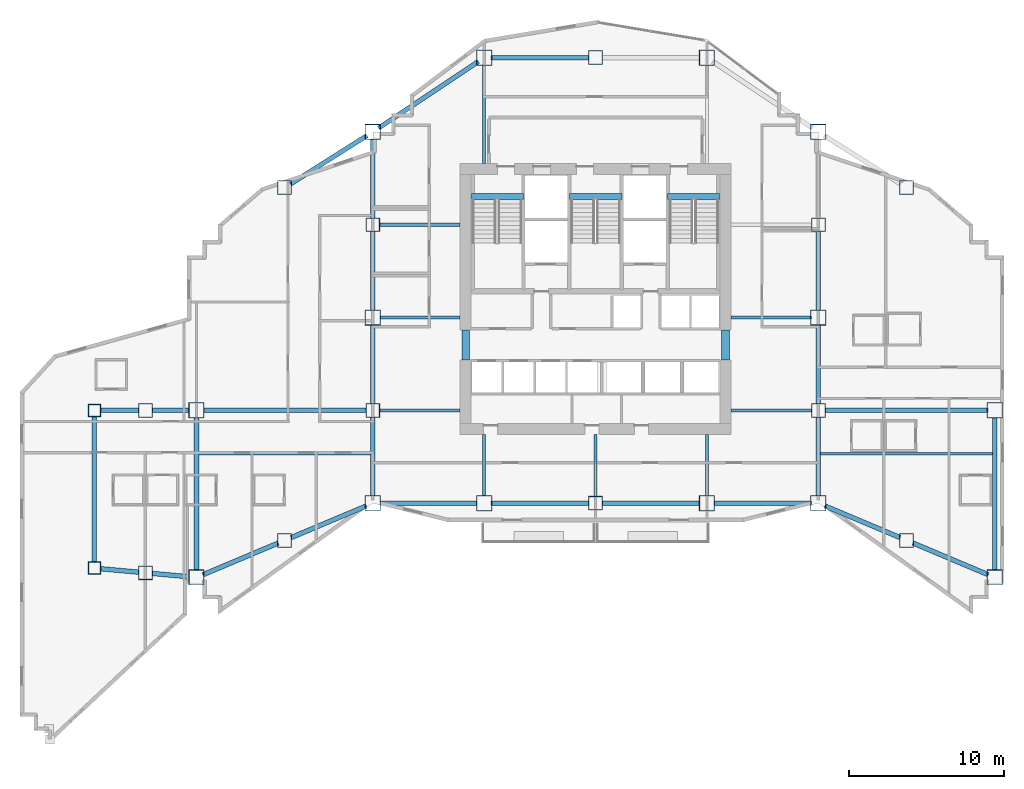
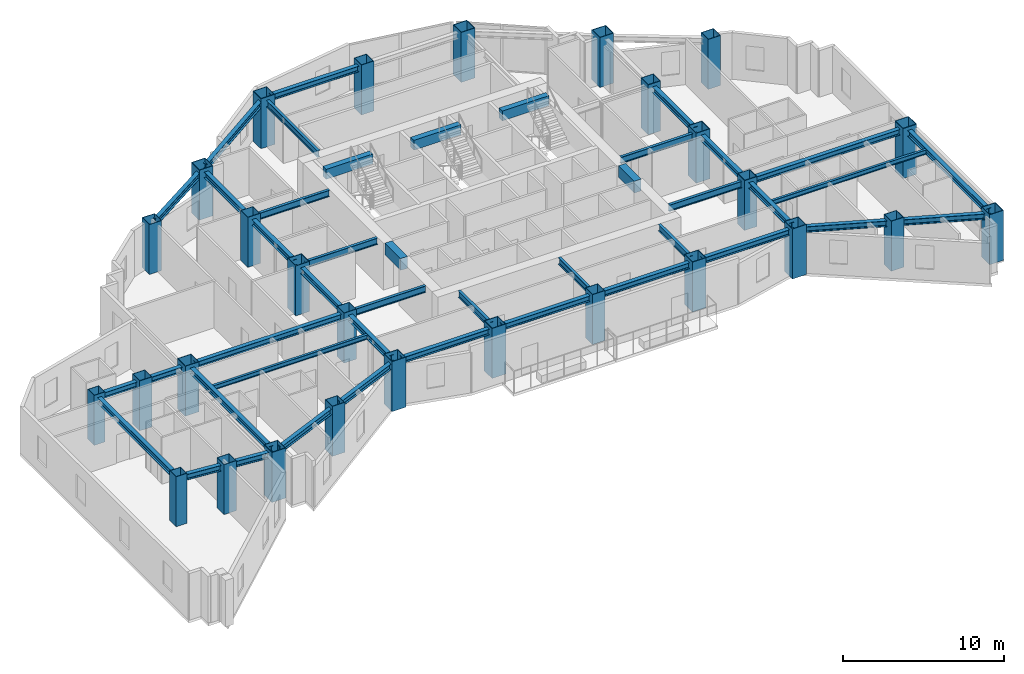
# One storey, part 1 of 14: 43 beams, 28 columns.
"""IFC4 building model written with IfcOpenShell, lengths in metres."""

from ifc_helpers import new_model, si_unit, direction, frame, origin, origin_2d, place, context, subcontext, project, spatial, rectangle, hollow_rectangle, i_section, extrude, material, material_profile, profile_set, type_object, element, save


model = new_model("IFC4")

# Units and contexts
model_context = context("Model", 3, precision=1e-05, world=origin(), true_north=direction((0.0, 1.0)))
body_context = subcontext(model_context, "Body", "Model", "MODEL_VIEW")
ifc_project = project(units=[si_unit("LENGTHUNIT", "METRE"), si_unit("AREAUNIT", "SQUARE_METRE"), si_unit("VOLUMEUNIT", "CUBIC_METRE"), si_unit("PLANEANGLEUNIT", "RADIAN"), si_unit("MASSUNIT", "GRAM", prefix="KILO")], contexts=[model_context])

# Site, building, storey
site_placement = place(None, origin())
site = spatial("IfcSite", under=ifc_project, at=site_placement, CompositionType="ELEMENT")
building_placement = place(site_placement, origin())
building = spatial("IfcBuilding", under=site, at=building_placement, Name="Haolan Belvedere Tower", CompositionType="ELEMENT")
storey_placement = place(building_placement, frame((0.0, 0.0, 132.60009765625)))
storey = spatial("IfcBuildingStorey", under=building, at=storey_placement, Name="L33", CompositionType="ELEMENT", Elevation=132.60009765625)

# Columns
ifc_material_1 = material(Name="Steel Q420GJC", Category="steel")
ifc_material_profile_1 = material_profile(ifc_material_1, hollow_rectangle(XDim=1.0, YDim=1.0, WallThickness=0.0380859375, at=origin_2d()), Name="Steel Q420GJC")
ifc_profile_set_1 = profile_set([ifc_material_profile_1], Name="Steel Q420GJC")
column_type_1 = type_object("IfcColumnType", Name="COL-BOX1000x1000x38", PredefinedType="COLUMN", material=ifc_profile_set_1)
for number, where, z_axis, x_axis, name in (
    (1, (24.0, 21.60009765625, 0.0), (0.0, 0.0, 1.0), (1.0, 0.0, 0.0), "L33 column MC-T3-SW (BOX1000x1000x38)"),
    (2, (24.0, 33.60009765625, 0.0), (0.0, 0.0, 1.0), (1.0, 0.0, 0.0), "L33 column MC-T3-MW (BOX1000x1000x38)"),
    (3, (24.0, 45.60009765625, 0.0), (0.0, 0.0, 1.0), (1.0, 0.0, 0.0), "L33 column MC-T3-NW (BOX1000x1000x38)"),
    (4, (52.800048828125, 21.60009765625, 0.0), (0.0, 0.0, 1.0), (1.0, 0.0, 0.0), "L33 column MC-T3-SE (BOX1000x1000x38)"),
    (5, (52.800048828125, 33.60009765625, 0.0), (0.0, 0.0, 1.0), (1.0, 0.0, 0.0), "L33 column MC-T3-ME (BOX1000x1000x38)"),
    (6, (52.800048828125, 45.60009765625, 0.0), (0.0, 0.0, 1.0), (1.0, 0.0, 0.0), "L33 column MC-T3-NE (BOX1000x1000x38)"),
    (7, (31.199951171875, 21.60009765625, 0.0), (0.0, 0.0, 1.0), (1.0, 0.0, 0.0), "L33 column MC-T3-S1 (BOX1000x1000x38)"),
    (8, (45.60009765625, 21.60009765625, 0.0), (0.0, 0.0, 1.0), (1.0, 0.0, 0.0), "L33 column MC-T3-S2 (BOX1000x1000x38)"),
    (9, (31.199951171875, 50.39990234375, 0.0), (0.0, 0.0, 1.0), (1.0, 0.0, 0.0), "L33 column MC-T3-N1 (BOX1000x1000x38)"),
    (10, (45.60009765625, 50.39990234375, 0.0), (0.0, 0.0, 1.0), (1.0, 0.0, 0.0), "L33 column MC-T3-N2 (BOX1000x1000x38)"),
    (11, (12.60009765625, 16.800048828125, 0.0), (0.0, 0.0, 1.0), (1.0, 0.0, 0.0), "L33 column MC-T2-SW (BOX1000x1000x38)"),
    (12, (12.60009765625, 27.60009765625, 0.0), (0.0, 0.0, 1.0), (1.0, 0.0, 0.0), "L33 column MC-T2-MW (BOX1000x1000x38)"),
    (13, (64.199951171875, 16.800048828125, 0.0), (0.0, 0.0, 1.0), (1.0, 0.0, 0.0), "L33 column MC-T4-SE (BOX1000x1000x38)"),
    (14, (64.199951171875, 27.60009765625, 0.0), (0.0, 0.0, 1.0), (1.0, 0.0, 0.0), "L33 column MC-T4-ME (BOX1000x1000x38)"),
):
    element("IfcColumn", number, at=place(storey_placement, frame(where, z_axis=z_axis, x_axis=x_axis)), inside=storey, type_object=column_type_1, Name=name, PredefinedType="COLUMN", context=body_context, shape_type="SweptSolid", body=[
        extrude(hollow_rectangle(XDim=1.0, YDim=1.0, WallThickness=0.0380859375, at=origin_2d()), origin(), (0.0, 0.0, 1.0), 3.7998046875),
    ])
ifc_material_2 = material(Name="Steel Q390GJC", Category="steel")
ifc_material_profile_2 = material_profile(ifc_material_2, hollow_rectangle(XDim=0.800048828125, YDim=0.800048828125, WallThickness=0.030029296875, at=origin_2d()), Name="Steel Q390GJC")
ifc_profile_set_2 = profile_set([ifc_material_profile_2], Name="Steel Q390GJC")
column_type_2 = type_object("IfcColumnType", Name="COL-BOX800x800x30", PredefinedType="COLUMN", material=ifc_profile_set_2)
for number, where, z_axis, x_axis, name in (
    (15, (6.0, 17.39990234375, 0.0), (0.0, 0.0, 1.0), (1.0, 0.0, 0.0), "L33 column MC-T1-SW (BOX800x800x30)"),
    (16, (6.0, 27.60009765625, 0.0), (0.0, 0.0, 1.0), (1.0, 0.0, 0.0), "L33 column MC-T1-NW (BOX800x800x30)"),
):
    element("IfcColumn", number, at=place(storey_placement, frame(where, z_axis=z_axis, x_axis=x_axis)), inside=storey, type_object=column_type_2, Name=name, PredefinedType="COLUMN", context=body_context, shape_type="SweptSolid", body=[
        extrude(hollow_rectangle(XDim=0.800048828125, YDim=0.800048828125, WallThickness=0.030029296875, at=origin_2d()), origin(), (0.0, 0.0, 1.0), 3.7998046875),
    ])
ifc_material_profile_3 = material_profile(ifc_material_2, hollow_rectangle(XDim=0.89990234375, YDim=0.89990234375, WallThickness=0.033935546875, at=origin_2d()), Name="Steel Q390GJC")
ifc_profile_set_3 = profile_set([ifc_material_profile_3], Name="Steel Q390GJC")
column_type_3 = type_object("IfcColumnType", Name="COL-BOX900x900x34", PredefinedType="COLUMN", material=ifc_profile_set_3)
for number, where, z_axis, x_axis, name in (
    (17, (24.0, 27.60009765625, 0.0), (0.0, 0.0, 1.0), (1.0, 0.0, 0.0), "L33 column TC-T3-W1 (BOX900x900x34)"),
    (18, (24.0, 39.60009765625, 0.0), (0.0, 0.0, 1.0), (1.0, 0.0, 0.0), "L33 column TC-T3-W2 (BOX900x900x34)"),
    (19, (52.800048828125, 27.60009765625, 0.0), (0.0, 0.0, 1.0), (1.0, 0.0, 0.0), "L33 column TC-T3-E1 (BOX900x900x34)"),
    (20, (52.800048828125, 39.60009765625, 0.0), (0.0, 0.0, 1.0), (1.0, 0.0, 0.0), "L33 column TC-T3-E2 (BOX900x900x34)"),
    (21, (38.39990234375, 21.60009765625, 0.0), (0.0, 0.0, 1.0), (1.0, 0.0, 0.0), "L33 column TC-T3-SM (BOX900x900x34)"),
    (22, (38.39990234375, 50.39990234375, 0.0), (0.0, 0.0, 1.0), (1.0, 0.0, 0.0), "L33 column TC-T3-NM (BOX900x900x34)"),
    (23, (18.300048828125, 19.199951171875, 0.0), (0.0, 0.0, 1.0), (1.0, 0.0, 0.0), "L33 column TC-T2-S1 (BOX900x900x34)"),
    (24, (18.300048828125, 42.0, 0.0), (0.0, 0.0, 1.0), (1.0, 0.0, 0.0), "L33 column TC-T2-N1 (BOX900x900x34)"),
    (25, (58.5, 19.199951171875, 0.0), (0.0, 0.0, 1.0), (1.0, 0.0, 0.0), "L33 column TC-T4-S1 (BOX900x900x34)"),
    (26, (58.5, 42.0, 0.0), (0.0, 0.0, 1.0), (1.0, 0.0, 0.0), "L33 column TC-T4-N1 (BOX900x900x34)"),
    (27, (9.300048828125, 17.10009765625, 0.0), (0.0, 0.0, 1.0), (1.0, 0.0, 0.0), "L33 column TC-T1-M1 (BOX900x900x34)"),
    (28, (9.300048828125, 27.60009765625, 0.0), (0.0, 0.0, 1.0), (1.0, 0.0, 0.0), "L33 column TC-T1-M2 (BOX900x900x34)"),
):
    element("IfcColumn", number, at=place(storey_placement, frame(where, z_axis=z_axis, x_axis=x_axis)), inside=storey, type_object=column_type_3, Name=name, PredefinedType="COLUMN", context=body_context, shape_type="SweptSolid", body=[
        extrude(hollow_rectangle(XDim=0.89990234375, YDim=0.89990234375, WallThickness=0.033935546875, at=origin_2d()), origin(), (0.0, 0.0, 1.0), 3.7998046875),
    ])

# Beams
ifc_material_3 = material(Name="Steel Q355B", Category="steel")
ifc_material_profile_4 = material_profile(ifc_material_3, i_section(OverallWidth=0.300048828125, OverallDepth=0.43994140625, WebThickness=0.010986328125, FlangeThickness=0.01806640625, FilletRadius=0.02392578125, at=origin_2d()), Name="Steel Q355B")
ifc_profile_set_4 = profile_set([ifc_material_profile_4], Name="Steel Q355B")
beam_type_1 = type_object("IfcBeamType", Name="BM-HM440x300x11x18", PredefinedType="SPANDREL", material=ifc_profile_set_4)
for number, where, z_axis, x_axis, name in (
    (29, (24.0, 22.050048828125, 3.31982421875), (0.0, 1.0, 0.0), (-1.0, 0.0, 0.0), "L33 spandrel girder MC-T3-SW-TC-T3-W1"),
    (30, (24.0, 28.050048828125, 3.31982421875), (0.0, 1.0, 0.0), (-1.0, 0.0, 0.0), "L33 spandrel girder TC-T3-W1-MC-T3-MW"),
    (31, (24.0, 34.050048828125, 3.31982421875), (0.0, 1.0, 0.0), (-1.0, 0.0, 0.0), "L33 spandrel girder MC-T3-MW-TC-T3-W2"),
    (32, (24.0, 40.050048828125, 3.31982421875), (0.0, 1.0, 0.0), (-1.0, 0.0, 0.0), "L33 spandrel girder TC-T3-W2-MC-T3-NW"),
    (33, (52.800048828125, 22.050048828125, 3.31982421875), (0.0, 1.0, 0.0), (-1.0, 0.0, 0.0), "L33 spandrel girder MC-T3-SE-TC-T3-E1"),
    (34, (52.800048828125, 28.050048828125, 3.31982421875), (0.0, 1.0, 0.0), (-1.0, 0.0, 0.0), "L33 spandrel girder TC-T3-E1-MC-T3-ME"),
    (35, (52.800048828125, 34.050048828125, 3.31982421875), (0.0, 1.0, 0.0), (-1.0, 0.0, 0.0), "L33 spandrel girder MC-T3-ME-TC-T3-E2"),
):
    element("IfcBeam", number, at=place(storey_placement, frame(where, z_axis=z_axis, x_axis=x_axis)), inside=storey, type_object=beam_type_1, Name=name, PredefinedType="SPANDREL", context=body_context, shape_type="SweptSolid", body=[
        extrude(i_section(OverallWidth=0.300048828125, OverallDepth=0.43994140625, WebThickness=0.010986328125, FlangeThickness=0.01806640625, FilletRadius=0.02392578125, at=origin_2d()), origin(), (0.0, 0.0, 1.0), 5.099853515625),
    ])
for number, where, z_axis, x_axis, name in (
    (36, (24.449951171875, 21.60009765625, 3.31982421875), (1.0, 0.0, 0.0), (0.0, 1.0, 0.0), "L33 spandrel girder MC-T3-SW-MC-T3-S1"),
    (37, (31.64990234375, 21.60009765625, 3.31982421875), (1.0, 0.0, 0.0), (0.0, 1.0, 0.0), "L33 spandrel girder MC-T3-S1-TC-T3-SM"),
):
    element("IfcBeam", number, at=place(storey_placement, frame(where, z_axis=z_axis, x_axis=x_axis)), inside=storey, type_object=beam_type_1, Name=name, PredefinedType="SPANDREL", context=body_context, shape_type="SweptSolid", body=[
        extrude(i_section(OverallWidth=0.300048828125, OverallDepth=0.43994140625, WebThickness=0.010986328125, FlangeThickness=0.01806640625, FilletRadius=0.02392578125, at=origin_2d()), origin(), (0.0, 0.0, 1.0), 6.300048828125),
    ])
beam_1_placement = place(storey_placement, frame((38.85009765625, 21.60009765625, 3.31982421875), z_axis=(1.0, 0.0, 0.0), x_axis=(0.0, 1.0, 0.0)))
element("IfcBeam", 38, at=beam_1_placement, inside=storey, type_object=beam_type_1, Name="L33 spandrel girder TC-T3-SM-MC-T3-S2", PredefinedType="SPANDREL", context=body_context, shape_type="SweptSolid", body=[
    extrude(i_section(OverallWidth=0.300048828125, OverallDepth=0.43994140625, WebThickness=0.010986328125, FlangeThickness=0.01806640625, FilletRadius=0.02392578125, at=origin_2d()), origin(), (0.0, 0.0, 1.0), 6.2998046875),
])
beam_2_placement = place(storey_placement, frame((46.050048828125, 21.60009765625, 3.31982421875), z_axis=(1.0, 0.0, 0.0), x_axis=(0.0, 1.0, 0.0)))
element("IfcBeam", 39, at=beam_2_placement, inside=storey, type_object=beam_type_1, Name="L33 spandrel girder MC-T3-S2-MC-T3-SE", PredefinedType="SPANDREL", context=body_context, shape_type="SweptSolid", body=[
    extrude(i_section(OverallWidth=0.300048828125, OverallDepth=0.43994140625, WebThickness=0.010986328125, FlangeThickness=0.01806640625, FilletRadius=0.02392578125, at=origin_2d()), origin(), (0.0, 0.0, 1.0), 6.300048828125),
])
beam_3_placement = place(storey_placement, frame((24.37451171875, 45.849609375, 3.31982421875), z_axis=(0.832050294338, 0.554700196225, 0.0), x_axis=(-0.554700196225, 0.832050294338, 0.0)))
element("IfcBeam", 40, at=beam_3_placement, inside=storey, type_object=beam_type_1, Name="L33 spandrel girder MC-T3-NW-MC-T3-N1", PredefinedType="SPANDREL", context=body_context, shape_type="SweptSolid", body=[
    extrude(i_section(OverallWidth=0.300048828125, OverallDepth=0.43994140625, WebThickness=0.010986328125, FlangeThickness=0.01806640625, FilletRadius=0.02392578125, at=origin_2d()), origin(), (0.0, 0.0, 1.0), 7.75341796875),
])
beam_4_placement = place(storey_placement, frame((31.64990234375, 50.39990234375, 3.31982421875), z_axis=(1.0, 0.0, 0.0), x_axis=(0.0, 1.0, 0.0)))
element("IfcBeam", 41, at=beam_4_placement, inside=storey, type_object=beam_type_1, Name="L33 spandrel girder MC-T3-N1-TC-T3-NM", PredefinedType="SPANDREL", context=body_context, shape_type="SweptSolid", body=[
    extrude(i_section(OverallWidth=0.300048828125, OverallDepth=0.43994140625, WebThickness=0.010986328125, FlangeThickness=0.01806640625, FilletRadius=0.02392578125, at=origin_2d()), origin(), (0.0, 0.0, 1.0), 6.300048828125),
])
beam_5_placement = place(storey_placement, frame((12.60009765625, 17.25, 3.31982421875), z_axis=(0.0, 1.0, 0.0), x_axis=(-1.0, 0.0, 0.0)))
element("IfcBeam", 42, at=beam_5_placement, inside=storey, type_object=beam_type_1, Name="L33 spandrel girder MC-T2-SW-MC-T2-MW", PredefinedType="SPANDREL", context=body_context, shape_type="SweptSolid", body=[
    extrude(i_section(OverallWidth=0.300048828125, OverallDepth=0.43994140625, WebThickness=0.010986328125, FlangeThickness=0.01806640625, FilletRadius=0.02392578125, at=origin_2d()), origin(), (0.0, 0.0, 1.0), 9.89990234375),
])
beam_6_placement = place(storey_placement, frame((13.0146484375, 16.974609375, 3.31982421875), z_axis=(0.921635375138, 0.388057000058, 0.0), x_axis=(-0.388057000058, 0.921635375138, 0.0)))
element("IfcBeam", 43, at=beam_6_placement, inside=storey, type_object=beam_type_1, Name="L33 spandrel girder MC-T2-SW-TC-T2-S1", PredefinedType="SPANDREL", context=body_context, shape_type="SweptSolid", body=[
    extrude(i_section(OverallWidth=0.300048828125, OverallDepth=0.43994140625, WebThickness=0.010986328125, FlangeThickness=0.01806640625, FilletRadius=0.02392578125, at=origin_2d()), origin(), (0.0, 0.0, 1.0), 5.28466796875),
])
beam_7_placement = place(storey_placement, frame((18.71484375, 19.37451171875, 3.31982421875), z_axis=(0.92162841793, 0.388073523014, 0.0), x_axis=(-0.388073523014, 0.92162841793, 0.0)))
element("IfcBeam", 44, at=beam_7_placement, inside=storey, type_object=beam_type_1, Name="L33 spandrel girder TC-T2-S1-MC-T3-SW", PredefinedType="SPANDREL", context=body_context, shape_type="SweptSolid", body=[
    extrude(i_section(OverallWidth=0.300048828125, OverallDepth=0.43994140625, WebThickness=0.010986328125, FlangeThickness=0.01806640625, FilletRadius=0.02392578125, at=origin_2d()), origin(), (0.0, 0.0, 1.0), 5.284423828125),
])
beam_8_placement = place(storey_placement, frame((18.680419921875, 42.240234375, 3.31982421875), z_axis=(0.845497840649, 0.533978839898, 0.0), x_axis=(-0.533978839898, 0.845497840649, 0.0)))
element("IfcBeam", 45, at=beam_8_placement, inside=storey, type_object=beam_type_1, Name="L33 spandrel girder TC-T2-N1-MC-T3-NW", PredefinedType="SPANDREL", context=body_context, shape_type="SweptSolid", body=[
    extrude(i_section(OverallWidth=0.300048828125, OverallDepth=0.43994140625, WebThickness=0.010986328125, FlangeThickness=0.01806640625, FilletRadius=0.02392578125, at=origin_2d()), origin(), (0.0, 0.0, 1.0), 5.841796875),
])
beam_9_placement = place(storey_placement, frame((13.050048828125, 27.60009765625, 3.31982421875), z_axis=(1.0, 0.0, 0.0), x_axis=(0.0, 1.0, 0.0)))
element("IfcBeam", 46, at=beam_9_placement, inside=storey, type_object=beam_type_1, Name="L33 spandrel girder MC-T2-MW-TC-T3-W1", PredefinedType="SPANDREL", context=body_context, shape_type="SweptSolid", body=[
    extrude(i_section(OverallWidth=0.300048828125, OverallDepth=0.43994140625, WebThickness=0.010986328125, FlangeThickness=0.01806640625, FilletRadius=0.02392578125, at=origin_2d()), origin(), (0.0, 0.0, 1.0), 10.5),
])
beam_10_placement = place(storey_placement, frame((64.199951171875, 17.25, 3.31982421875), z_axis=(0.0, 1.0, 0.0), x_axis=(-1.0, 0.0, 0.0)))
element("IfcBeam", 47, at=beam_10_placement, inside=storey, type_object=beam_type_1, Name="L33 spandrel girder MC-T4-SE-MC-T4-ME", PredefinedType="SPANDREL", context=body_context, shape_type="SweptSolid", body=[
    extrude(i_section(OverallWidth=0.300048828125, OverallDepth=0.43994140625, WebThickness=0.010986328125, FlangeThickness=0.01806640625, FilletRadius=0.02392578125, at=origin_2d()), origin(), (0.0, 0.0, 1.0), 9.89990234375),
])
for number, where, z_axis, x_axis, name in (
    (48, (53.21484375, 21.42529296875, 3.31982421875), (0.92162841793, -0.388073523014, 0.0), (0.388073523014, 0.92162841793, 0.0), "L33 spandrel girder MC-T3-SE-TC-T4-S1"),
    (49, (58.914794921875, 19.025390625, 3.31982421875), (0.92162841793, -0.388073523014, 0.0), (0.388073523014, 0.92162841793, 0.0), "L33 spandrel girder TC-T4-S1-MC-T4-SE"),
):
    element("IfcBeam", number, at=place(storey_placement, frame(where, z_axis=z_axis, x_axis=x_axis)), inside=storey, type_object=beam_type_1, Name=name, PredefinedType="SPANDREL", context=body_context, shape_type="SweptSolid", body=[
        extrude(i_section(OverallWidth=0.300048828125, OverallDepth=0.43994140625, WebThickness=0.010986328125, FlangeThickness=0.01806640625, FilletRadius=0.02392578125, at=origin_2d()), origin(), (0.0, 0.0, 1.0), 5.284423828125),
    ])
beam_11_placement = place(storey_placement, frame((53.25, 27.60009765625, 3.31982421875), z_axis=(1.0, 0.0, 0.0), x_axis=(0.0, 1.0, 0.0)))
element("IfcBeam", 50, at=beam_11_placement, inside=storey, type_object=beam_type_1, Name="L33 spandrel girder TC-T3-E1-MC-T4-ME", PredefinedType="SPANDREL", context=body_context, shape_type="SweptSolid", body=[
    extrude(i_section(OverallWidth=0.300048828125, OverallDepth=0.43994140625, WebThickness=0.010986328125, FlangeThickness=0.01806640625, FilletRadius=0.02392578125, at=origin_2d()), origin(), (0.0, 0.0, 1.0), 10.5),
])
beam_12_placement = place(storey_placement, frame((6.0, 17.800048828125, 3.31982421875), z_axis=(0.0, 1.0, 0.0), x_axis=(-1.0, 0.0, 0.0)))
element("IfcBeam", 51, at=beam_12_placement, inside=storey, type_object=beam_type_1, Name="L33 spandrel girder MC-T1-SW-MC-T1-NW", PredefinedType="SPANDREL", context=body_context, shape_type="SweptSolid", body=[
    extrude(i_section(OverallWidth=0.300048828125, OverallDepth=0.43994140625, WebThickness=0.010986328125, FlangeThickness=0.01806640625, FilletRadius=0.02392578125, at=origin_2d()), origin(), (0.0, 0.0, 1.0), 9.39990234375),
])
beam_13_placement = place(storey_placement, frame((6.3984375, 17.36376953125, 3.31982421875), z_axis=(0.995889143855, -0.090580423672, 0.0), x_axis=(0.090580423672, 0.995889143855, 0.0)))
element("IfcBeam", 52, at=beam_13_placement, inside=storey, type_object=beam_type_1, Name="L33 spandrel girder MC-T1-SW-TC-T1-M1", PredefinedType="SPANDREL", context=body_context, shape_type="SweptSolid", body=[
    extrude(i_section(OverallWidth=0.300048828125, OverallDepth=0.43994140625, WebThickness=0.010986328125, FlangeThickness=0.01806640625, FilletRadius=0.02392578125, at=origin_2d()), origin(), (0.0, 0.0, 1.0), 2.46337890625),
])
beam_14_placement = place(storey_placement, frame((9.748046875, 17.059326171875, 3.31982421875), z_axis=(0.9958940355, -0.090526626221, 0.0), x_axis=(0.090526626221, 0.9958940355, 0.0)))
element("IfcBeam", 53, at=beam_14_placement, inside=storey, type_object=beam_type_1, Name="L33 spandrel girder TC-T1-M1-MC-T2-SW", PredefinedType="SPANDREL", context=body_context, shape_type="SweptSolid", body=[
    extrude(i_section(OverallWidth=0.300048828125, OverallDepth=0.43994140625, WebThickness=0.010986328125, FlangeThickness=0.01806640625, FilletRadius=0.02392578125, at=origin_2d()), origin(), (0.0, 0.0, 1.0), 2.413818359375),
])
beam_15_placement = place(storey_placement, frame((6.39990234375, 27.60009765625, 3.31982421875), z_axis=(1.0, 0.0, 0.0), x_axis=(0.0, 1.0, 0.0)))
element("IfcBeam", 54, at=beam_15_placement, inside=storey, type_object=beam_type_1, Name="L33 spandrel girder MC-T1-NW-TC-T1-M2", PredefinedType="SPANDREL", context=body_context, shape_type="SweptSolid", body=[
    extrude(i_section(OverallWidth=0.300048828125, OverallDepth=0.43994140625, WebThickness=0.010986328125, FlangeThickness=0.01806640625, FilletRadius=0.02392578125, at=origin_2d()), origin(), (0.0, 0.0, 1.0), 2.4501953125),
])
beam_16_placement = place(storey_placement, frame((9.75, 27.60009765625, 3.31982421875), z_axis=(1.0, 0.0, 0.0), x_axis=(0.0, 1.0, 0.0)))
element("IfcBeam", 55, at=beam_16_placement, inside=storey, type_object=beam_type_1, Name="L33 spandrel girder TC-T1-M2-MC-T2-MW", PredefinedType="SPANDREL", context=body_context, shape_type="SweptSolid", body=[
    extrude(i_section(OverallWidth=0.300048828125, OverallDepth=0.43994140625, WebThickness=0.010986328125, FlangeThickness=0.01806640625, FilletRadius=0.02392578125, at=origin_2d()), origin(), (0.0, 0.0, 1.0), 2.39990234375),
])
ifc_material_profile_5 = material_profile(ifc_material_3, i_section(OverallWidth=0.175048828125, OverallDepth=0.35009765625, WebThickness=0.007080078125, FlangeThickness=0.010986328125, FilletRadius=0.012939453125, at=origin_2d()), Name="Steel Q355B")
ifc_profile_set_5 = profile_set([ifc_material_profile_5], Name="Steel Q355B")
beam_type_2 = type_object("IfcBeamType", Name="BM-HN350x175x7x11", PredefinedType="JOIST", material=ifc_profile_set_5)
for number, where, z_axis, x_axis, name in (
    (56, (12.75, 24.800048828125, 3.364990234375), (1.0, 0.0, 0.0), (0.0, 1.0, 0.0), "L33 west wing floor joist 1"),
    (57, (52.949951171875, 24.800048828125, 3.364990234375), (1.0, 0.0, 0.0), (0.0, 1.0, 0.0), "L33 east wing floor joist 1"),
):
    element("IfcBeam", number, at=place(storey_placement, frame(where, z_axis=z_axis, x_axis=x_axis)), inside=storey, type_object=beam_type_2, Name=name, PredefinedType="JOIST", context=body_context, shape_type="SweptSolid", body=[
        extrude(i_section(OverallWidth=0.175048828125, OverallDepth=0.35009765625, WebThickness=0.007080078125, FlangeThickness=0.010986328125, FilletRadius=0.012939453125, at=origin_2d()), origin(), (0.0, 0.0, 1.0), 11.10009765625),
    ])
ifc_material_profile_6 = material_profile(ifc_material_3, i_section(OverallWidth=0.199951171875, OverallDepth=0.5, WebThickness=0.010009765625, FlangeThickness=0.01611328125, FilletRadius=0.02001953125, at=origin_2d()), Name="Steel Q355B")
ifc_profile_set_6 = profile_set([ifc_material_profile_6], Name="Steel Q355B")
beam_type_3 = type_object("IfcBeamType", Name="BM-HN500x200x10x16", PredefinedType="BEAM", material=ifc_profile_set_6)
for number, where, z_axis, x_axis, name in (
    (58, (24.449951171875, 33.60009765625, 3.289794921875), (1.0, 0.0, 0.0), (0.0, 1.0, 0.0), "L33 core tie beam from MC-T3-MW"),
    (59, (24.449951171875, 27.60009765625, 3.289794921875), (1.0, 0.0, 0.0), (0.0, 1.0, 0.0), "L33 core tie beam from TC-T3-W1"),
    (60, (24.449951171875, 39.60009765625, 3.289794921875), (1.0, 0.0, 0.0), (0.0, 1.0, 0.0), "L33 core tie beam from TC-T3-W2"),
):
    element("IfcBeam", number, at=place(storey_placement, frame(where, z_axis=z_axis, x_axis=x_axis)), inside=storey, type_object=beam_type_3, Name=name, PredefinedType="BEAM", context=body_context, shape_type="SweptSolid", body=[
        extrude(i_section(OverallWidth=0.199951171875, OverallDepth=0.5, WebThickness=0.010009765625, FlangeThickness=0.01611328125, FilletRadius=0.02001953125, at=origin_2d()), origin(), (0.0, 0.0, 1.0), 5.199951171875),
    ])
for number, where, z_axis, x_axis, name in (
    (61, (52.35009765625, 33.60009765625, 3.289794921875), (-1.0, 0.0, 0.0), (0.0, -1.0, 0.0), "L33 core tie beam from MC-T3-ME"),
    (62, (52.35009765625, 27.60009765625, 3.289794921875), (-1.0, 0.0, 0.0), (0.0, -1.0, 0.0), "L33 core tie beam from TC-T3-E1"),
):
    element("IfcBeam", number, at=place(storey_placement, frame(where, z_axis=z_axis, x_axis=x_axis)), inside=storey, type_object=beam_type_3, Name=name, PredefinedType="BEAM", context=body_context, shape_type="SweptSolid", body=[
        extrude(i_section(OverallWidth=0.199951171875, OverallDepth=0.5, WebThickness=0.010009765625, FlangeThickness=0.01611328125, FilletRadius=0.02001953125, at=origin_2d()), origin(), (0.0, 0.0, 1.0), 5.2001953125),
    ])
for number, where, z_axis, x_axis, name in (
    (63, (31.199951171875, 22.050048828125, 3.289794921875), (0.0, 1.0, 0.0), (-1.0, 0.0, 0.0), "L33 core tie beam from MC-T3-S1"),
    (64, (38.39990234375, 22.050048828125, 3.289794921875), (0.0, 1.0, 0.0), (-1.0, 0.0, 0.0), "L33 core tie beam from TC-T3-SM"),
    (65, (45.60009765625, 22.050048828125, 3.289794921875), (0.0, 1.0, 0.0), (-1.0, 0.0, 0.0), "L33 core tie beam from MC-T3-S2"),
):
    element("IfcBeam", number, at=place(storey_placement, frame(where, z_axis=z_axis, x_axis=x_axis)), inside=storey, type_object=beam_type_3, Name=name, PredefinedType="BEAM", context=body_context, shape_type="SweptSolid", body=[
        extrude(i_section(OverallWidth=0.199951171875, OverallDepth=0.5, WebThickness=0.010009765625, FlangeThickness=0.01611328125, FilletRadius=0.02001953125, at=origin_2d()), origin(), (0.0, 0.0, 1.0), 4.0),
    ])
beam_17_placement = place(storey_placement, frame((31.199951171875, 49.949951171875, 3.289794921875), z_axis=(0.0, -1.0, 0.0), x_axis=(1.0, 0.0, 0.0)))
element("IfcBeam", 66, at=beam_17_placement, inside=storey, type_object=beam_type_3, Name="L33 core tie beam from MC-T3-N1", PredefinedType="BEAM", context=body_context, shape_type="SweptSolid", body=[
    extrude(i_section(OverallWidth=0.199951171875, OverallDepth=0.5, WebThickness=0.010009765625, FlangeThickness=0.01611328125, FilletRadius=0.02001953125, at=origin_2d()), origin(), (0.0, 0.0, 1.0), 6.39990234375),
])
ifc_material_4 = material(Name="Concrete C50/60", Category="concrete")
ifc_material_profile_7 = material_profile(ifc_material_4, rectangle(XDim=0.39990234375, YDim=0.75, at=origin_2d()), Name="Concrete C50/60")
ifc_profile_set_7 = profile_set([ifc_material_profile_7], Name="Concrete C50/60")
beam_type_4 = type_object("IfcBeamType", Name="BM-RC400x750", PredefinedType="T_BEAM", material=ifc_profile_set_7)
beam_18_placement = place(storey_placement, frame((30.3798828125, 41.429931640625, 3.4248046875), z_axis=(1.0, 0.0, 0.0), x_axis=(0.0, 1.0, 0.0)))
element("IfcBeam", 67, at=beam_18_placement, inside=storey, type_object=beam_type_4, Name="L34 stair ST1 RC header trimmer beam", PredefinedType="BEAM", context=body_context, shape_type="SweptSolid", body=[
    extrude(rectangle(XDim=0.39990234375, YDim=0.75, at=origin_2d()), origin(), (0.0, 0.0, 1.0), 3.360107421875),
])
beam_19_placement = place(storey_placement, frame((36.699951171875, 41.429931640625, 3.4248046875), z_axis=(1.0, 0.0, 0.0), x_axis=(0.0, 1.0, 0.0)))
element("IfcBeam", 68, at=beam_19_placement, inside=storey, type_object=beam_type_4, Name="L34 stair ST3 RC header trimmer beam", PredefinedType="BEAM", context=body_context, shape_type="SweptSolid", body=[
    extrude(rectangle(XDim=0.39990234375, YDim=0.75, at=origin_2d()), origin(), (0.0, 0.0, 1.0), 3.400146484375),
])
beam_20_placement = place(storey_placement, frame((43.06005859375, 41.429931640625, 3.4248046875), z_axis=(1.0, 0.0, 0.0), x_axis=(0.0, 1.0, 0.0)))
element("IfcBeam", 69, at=beam_20_placement, inside=storey, type_object=beam_type_4, Name="L34 stair ST2 RC header trimmer beam", PredefinedType="BEAM", context=body_context, shape_type="SweptSolid", body=[
    extrude(rectangle(XDim=0.39990234375, YDim=0.75, at=origin_2d()), origin(), (0.0, 0.0, 1.0), 3.35986328125),
])
ifc_material_5 = material(Name="Concrete C60/75", Category="concrete")
ifc_material_profile_8 = material_profile(ifc_material_5, rectangle(XDim=0.5, YDim=0.89990234375, at=origin_2d()), Name="Concrete C60/75")
ifc_profile_set_8 = profile_set([ifc_material_profile_8], Name="Concrete C60/75")
beam_type_5 = type_object("IfcBeamType", Name="BM-RC500x900", PredefinedType="LINTEL", material=ifc_profile_set_8)
for number, where, z_axis, x_axis, name in (
    (70, (30.0, 30.85009765625, 3.08984375), (0.0, 1.0, 0.0), (-1.0, 0.0, 0.0), "L33 west core coupling beam CB-01"),
    (71, (46.800048828125, 30.85009765625, 3.08984375), (0.0, 1.0, 0.0), (-1.0, 0.0, 0.0), "L33 east core coupling beam CB-01"),
):
    element("IfcBeam", number, at=place(storey_placement, frame(where, z_axis=z_axis, x_axis=x_axis)), inside=storey, type_object=beam_type_5, Name=name, PredefinedType="LINTEL", context=body_context, shape_type="SweptSolid", body=[
        extrude(rectangle(XDim=0.5, YDim=0.89990234375, at=origin_2d()), origin(), (0.0, 0.0, 1.0), 1.949951171875),
    ])

save(model, "model.ifc")
